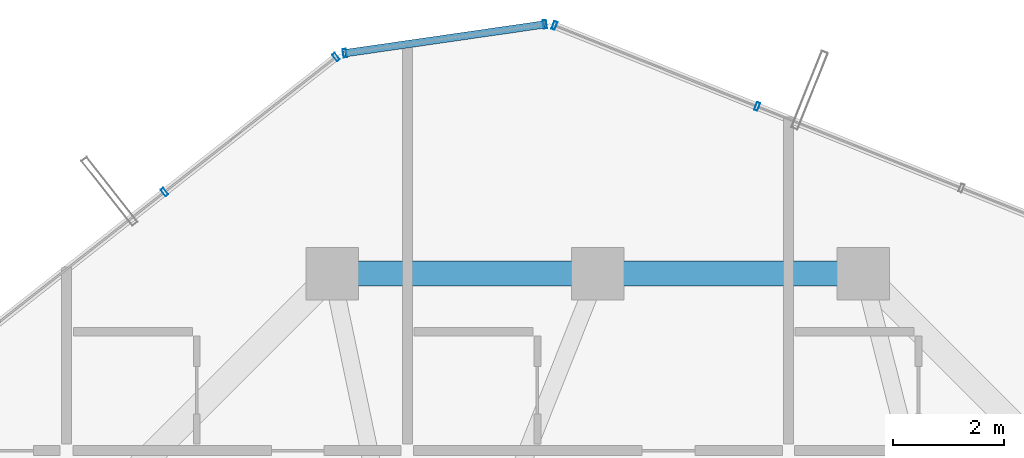
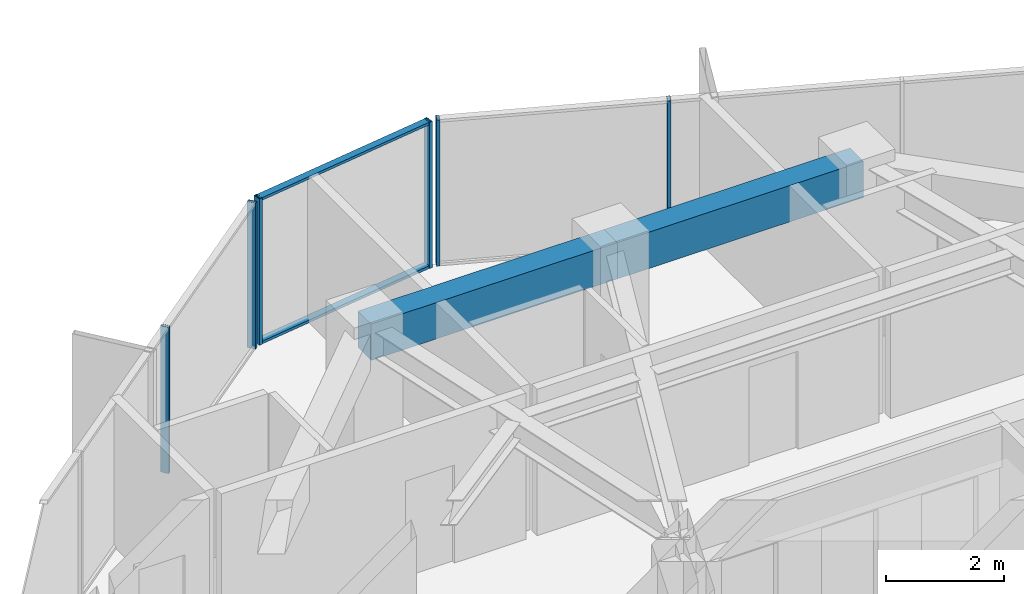
# One storey, part 22 of 31: 8 members, 2 beams, 3 elements without a shape of their own.
"""IFC4 building model written with IfcOpenShell, lengths in metres."""

from ifc_helpers import new_model, si_unit, direction, frame, origin, origin_2d, place, context, subcontext, project, spatial, rectangle, hollow_rectangle, extrude, source, transform, mapped, material, layer, layer_set, material_profile, profile_set, type_object, element, aggregate, save


model = new_model("IFC4")

# Units and contexts
model_context = context("Model", 3, precision=1e-05, world=origin(), true_north=direction((0.0, 1.0)))
body_context = subcontext(model_context, "Body", "Model", "MODEL_VIEW")
ifc_project = project(units=[si_unit("LENGTHUNIT", "METRE"), si_unit("AREAUNIT", "SQUARE_METRE"), si_unit("VOLUMEUNIT", "CUBIC_METRE"), si_unit("PLANEANGLEUNIT", "RADIAN"), si_unit("MASSUNIT", "GRAM", prefix="KILO")], contexts=[model_context])

# Site, building, storey
site_placement = place(None, origin())
site = spatial("IfcSite", under=ifc_project, at=site_placement, CompositionType="ELEMENT")
building_placement = place(site_placement, origin())
building = spatial("IfcBuilding", under=site, at=building_placement, Name="Veraguas Prism Commons", CompositionType="ELEMENT")
storey_placement = place(building_placement, frame((0.0, 0.0, 178.85009765625)))
storey = spatial("IfcBuildingStorey", under=building, at=storey_placement, Name="L50", CompositionType="ELEMENT", Elevation=178.85009765625)

# Beams
ifc_material_1 = material(Name="Concrete C50/60", Category="concrete")
ifc_material_profile_1 = material_profile(ifc_material_1, rectangle(XDim=0.449951171875, YDim=0.75, at=origin_2d()), Name="RC450X750")
ifc_profile_set_1 = profile_set([ifc_material_profile_1], Name="Concrete C50/60")
beam_type = type_object("IfcBeamType", Name="Perimeter Spandrel Upper RC 450x750", PredefinedType="SPANDREL", material=ifc_profile_set_1)
for number, where, z_axis, x_axis, name in (
    (1, (28.800048828125, 38.89990234375, 2.639892578125), (-1.0, 0.0, 0.0), (0.0, -1.0, 0.0), "Perimeter Spandrel Beam L50-SP04"),
    (2, (24.0, 38.89990234375, 2.639892578125), (-1.0, 0.0, 0.0), (0.0, -1.0, 0.0), "Perimeter Spandrel Beam L50-SP05"),
):
    element("IfcBeam", number, at=place(storey_placement, frame(where, z_axis=z_axis, x_axis=x_axis)), inside=storey, type_object=beam_type, Name=name, PredefinedType="SPANDREL", context=body_context, shape_type="SweptSolid", body=[
        extrude(rectangle(XDim=0.449951171875, YDim=0.75, at=origin_2d()), origin(), (0.0, 0.0, 1.0), 4.800048828125),
    ])

# Curtain wall, members
ifc_material_2 = material(Name="Anodised aluminium EN AW-6063 T6", Category="aluminium")
ifc_layer = layer(ifc_material_2, 0.14990234375, Name="Unitised Flush Curtain Wall Zone 3", Category="aluminium")
ifc_layer_set = layer_set([ifc_layer], Name="Anodised aluminium EN AW-6063 T6")
curtain_wall_type = type_object("IfcCurtainWallType", Name="Unitised Flush Curtain Wall Zone 3", PredefinedType="NOTDEFINED", material=ifc_layer_set)
curtain_wall_1_placement = place(storey_placement, origin())
curtain_wall_1 = element("IfcCurtainWall", 3, at=curtain_wall_1_placement, inside=storey, type_object=curtain_wall_type, Name="Tower Facade Curtain Wall L50-F1", PredefinedType="NOTDEFINED")
ifc_material_profile_2 = material_profile(ifc_material_2, hollow_rectangle(XDim=0.06005859375, YDim=0.14990234375, WallThickness=0.0029296875, at=origin_2d()), Name="AL60X150X3")
ifc_profile_set_2 = profile_set([ifc_material_profile_2], Name="Anodised aluminium EN AW-6063 T6")
member_type_1 = type_object("IfcMemberType", Name="Curtain Wall Mullion Upper AL 60x150x3", PredefinedType="MULLION", material=ifc_profile_set_2)
shared_shape_1 = source(origin(), body_context, "Body", "SweptSolid", [
    extrude(hollow_rectangle(XDim=0.06005859375, YDim=0.14990234375, WallThickness=0.0029296875, at=origin_2d()), origin(), (0.0, 0.0, 1.0), 3.014892578125),
])
member_1_placement = place(storey_placement, frame((26.87939453125, 41.921142578125, 0.0), z_axis=(0.0, 0.0, 1.0), x_axis=(-0.928617992492, 0.37103722727, 0.0)))
member_1 = element("IfcMember", 4, at=member_1_placement, type_object=member_type_1, Name="CW-Z3 Mullion 4", PredefinedType="MULLION", context=body_context, shape_type="MappedRepresentation", body=[
    mapped(shared_shape_1, transform((0.0, 0.0, 0.0), scale=1.0)),
])
member_2_placement = place(storey_placement, frame((23.215576171875, 43.385009765625, 0.0), z_axis=(0.0, 0.0, 1.0), x_axis=(-0.928617992492, 0.37103722727, 0.0)))
member_2 = element("IfcMember", 5, at=member_2_placement, type_object=member_type_1, Name="CW-Z3 Mullion 5", PredefinedType="MULLION", context=body_context, shape_type="MappedRepresentation", body=[
    mapped(shared_shape_1, transform((0.0, 0.0, 0.0), scale=1.0)),
])
aggregate(curtain_wall_1, [member_1, member_2])

curtain_wall_2_placement = place(storey_placement, origin())
curtain_wall_2 = element("IfcCurtainWall", 6, at=curtain_wall_2_placement, inside=storey, type_object=curtain_wall_type, Name="Tower Facade Curtain Wall L50-F2", PredefinedType="NOTDEFINED")
member_3_placement = place(storey_placement, frame((19.26611328125, 42.814697265625, 0.0), z_axis=(0.0, 0.0, 1.0), x_axis=(-0.785642059854, -0.618681302278, 0.0)))
member_3 = element("IfcMember", 7, at=member_3_placement, type_object=member_type_1, Name="CW-Z3 Mullion 1", PredefinedType="MULLION", context=body_context, shape_type="MappedRepresentation", body=[
    mapped(shared_shape_1, transform((0.0, 0.0, 0.0), scale=1.0)),
])
member_4_placement = place(storey_placement, frame((16.166259765625, 40.37353515625, 0.0), z_axis=(0.0, 0.0, 1.0), x_axis=(-0.785642059854, -0.618681302278, 0.0)))
member_4 = element("IfcMember", 8, at=member_4_placement, type_object=member_type_1, Name="CW-Z3 Mullion 2", PredefinedType="MULLION", context=body_context, shape_type="MappedRepresentation", body=[
    mapped(shared_shape_1, transform((0.0, 0.0, 0.0), scale=1.0)),
])
aggregate(curtain_wall_2, [member_3, member_4])

curtain_wall_3_placement = place(storey_placement, origin())
curtain_wall_3 = element("IfcCurtainWall", 9, at=curtain_wall_3_placement, inside=storey, type_object=curtain_wall_type, Name="Chamfer Curtain Wall L50-C2", PredefinedType="NOTDEFINED")
member_5_placement = place(storey_placement, frame((23.042724609375, 43.405517578125, 0.0), z_axis=(0.0, 0.0, 1.0), x_axis=(-0.989728629433, -0.142958875487, 0.0)))
member_5 = element("IfcMember", 10, at=member_5_placement, type_object=member_type_1, Name="CW-Z3 Mullion 1", PredefinedType="MULLION", context=body_context, shape_type="MappedRepresentation", body=[
    mapped(shared_shape_1, transform((0.0, 0.0, 0.0), scale=1.0)),
])
member_6_placement = place(storey_placement, frame((19.426025390625, 42.88330078125, 0.0), z_axis=(0.0, 0.0, 1.0), x_axis=(-0.989728629433, -0.142958875487, 0.0)))
member_6 = element("IfcMember", 11, at=member_6_placement, type_object=member_type_1, Name="CW-Z3 Mullion 2", PredefinedType="MULLION", context=body_context, shape_type="MappedRepresentation", body=[
    mapped(shared_shape_1, transform((0.0, 0.0, 0.0), scale=1.0)),
])
ifc_material_profile_3 = material_profile(ifc_material_2, hollow_rectangle(XDim=0.054931640625, YDim=0.135009765625, WallThickness=0.0029296875, at=origin_2d()), Name="AL55X135X3")
ifc_profile_set_3 = profile_set([ifc_material_profile_3], Name="Anodised aluminium EN AW-6063 T6")
member_type_2 = type_object("IfcMemberType", Name="Curtain Wall Transom Standard AL 55x135x3", PredefinedType="USERDEFINED", material=ifc_profile_set_3)
shared_shape_2 = source(origin(), body_context, "Body", "SweptSolid", [
    extrude(hollow_rectangle(XDim=0.054931640625, YDim=0.135009765625, WallThickness=0.0029296875, at=origin_2d()), origin(), (0.0, 0.0, 1.0), 3.654296875),
])
member_7_placement = place(storey_placement, frame((23.042724609375, 43.405517578125, 0.02734375), z_axis=(-0.989735918037, -0.142908406148, 0.0), x_axis=(0.0, 0.0, 1.0)))
member_7 = element("IfcMember", 12, at=member_7_placement, type_object=member_type_2, Name="CW-Z3 Transom 1", ObjectType="TRANSOM", PredefinedType="USERDEFINED", context=body_context, shape_type="MappedRepresentation", body=[
    mapped(shared_shape_2, transform((0.0, 0.0, 0.0), scale=1.0)),
])
member_8_placement = place(storey_placement, frame((23.042724609375, 43.405517578125, 2.9873046875), z_axis=(-0.989735918037, -0.142908406148, 0.0), x_axis=(0.0, 0.0, 1.0)))
member_8 = element("IfcMember", 13, at=member_8_placement, type_object=member_type_2, Name="CW-Z3 Transom 2", ObjectType="TRANSOM", PredefinedType="USERDEFINED", context=body_context, shape_type="MappedRepresentation", body=[
    mapped(shared_shape_2, transform((0.0, 0.0, 0.0), scale=1.0)),
])
aggregate(curtain_wall_3, [member_5, member_6, member_7, member_8])

save(model, "model.ifc")
